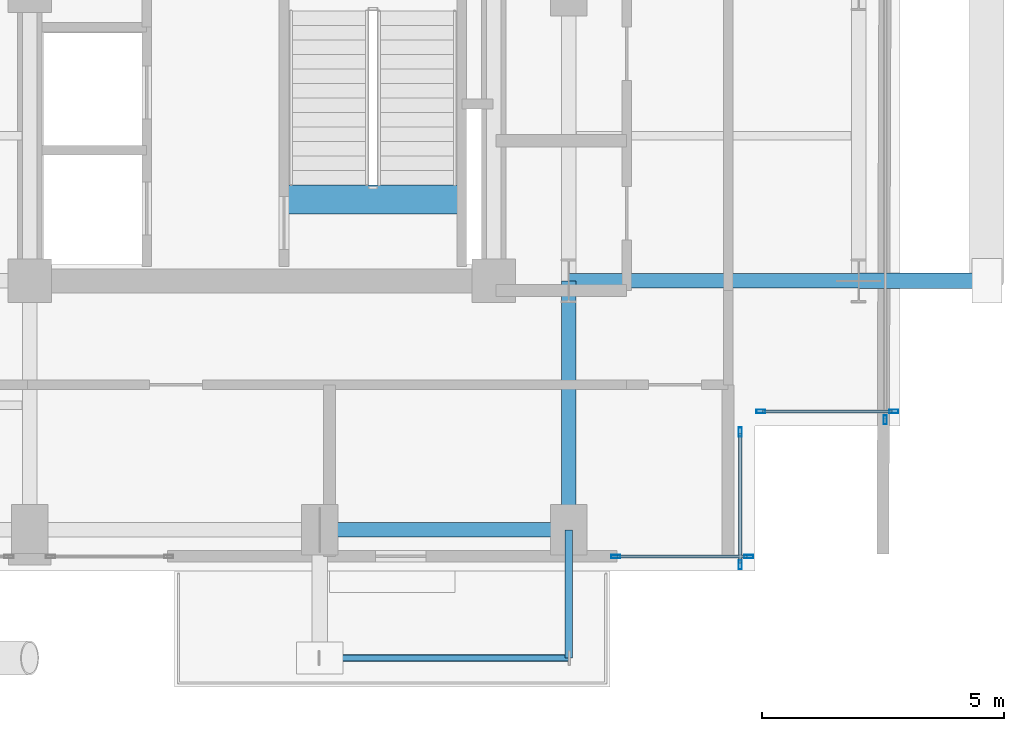
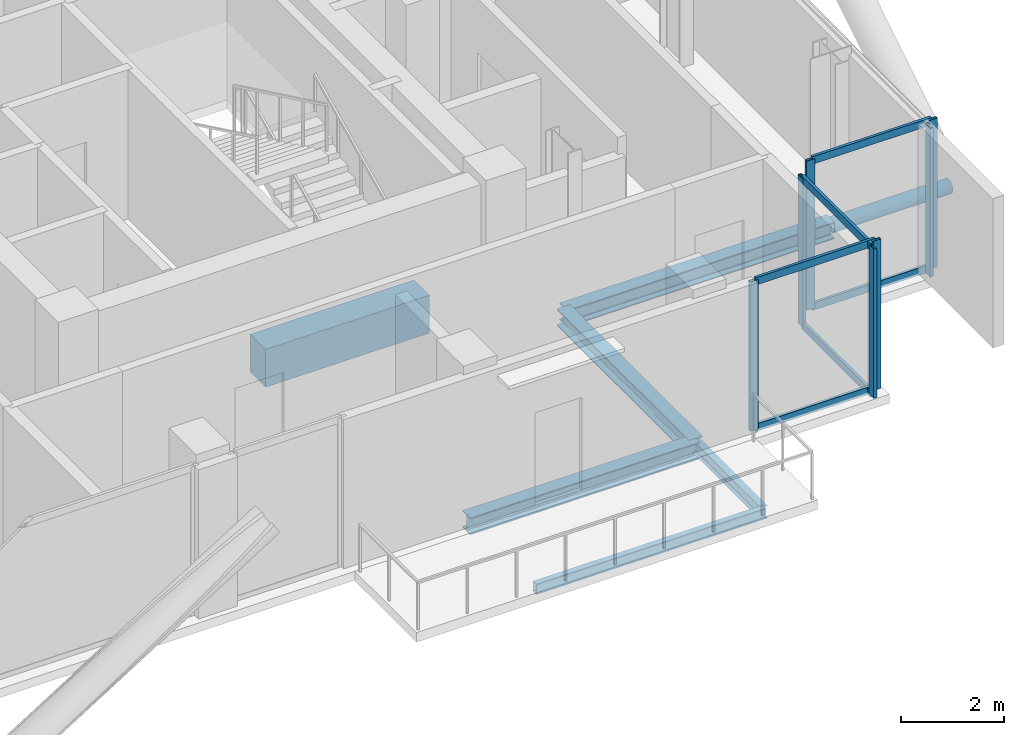
# One storey, part 11 of 26: 14 members, 6 beams, 4 elements without a shape of their own.
"""IFC4 building model written with IfcOpenShell, lengths in metres."""

import ifcopenshell
import ifcopenshell.guid

model = None  # the IFC model being written
_history = None  # IfcOwnerHistory: only IFC2X3 demands one
_inside = {}  # id of a spatial element -> (the spatial element, [elements in it])
_under = {}  # id of a project, library or spatial element -> (it, [spatial elements below it])
_declared = {}  # id of a project -> (the project, [libraries it declares])
_typed = {}  # id of a type object -> (the type object, [elements of that type])
_made_of = {}  # id of a material, layer set ... -> (it, [elements and type objects made of it])


def new_model(schema):
    """Start an empty IFC model of exactly this schema.

    Asked for "IFC4X3", IfcOpenShell would pick the latest addendum, in which some entities
    have other attributes; the version numbers below select the first issue.
    IFC2X3 requires an IfcOwnerHistory on every rooted entity: one is made here for all.
    """
    global model, _history
    if schema == "IFC4X3":
        model = ifcopenshell.file(schema_version=(4, 3, 0, 0))
    else:
        model = ifcopenshell.file(schema=schema)
    _inside.clear()
    _under.clear()
    _declared.clear()
    _typed.clear()
    _made_of.clear()
    _history = None
    if model.schema == "IFC2X3":
        org = make("IfcOrganization", Name="unknown")
        user = make(
            "IfcPersonAndOrganization",
            ThePerson=make("IfcPerson", FamilyName="unknown"),
            TheOrganization=org,
        )
        app = make(
            "IfcApplication",
            ApplicationDeveloper=org,
            Version="unknown",
            ApplicationFullName="unknown",
            ApplicationIdentifier="unknown",
        )
        _history = make(
            "IfcOwnerHistory",
            OwningUser=user,
            OwningApplication=app,
            ChangeAction="ADDED",
            CreationDate=0,
        )
    return model


def make(cls, **values):
    """One entity of the class cls with the attributes given. An attribute that is None is left unset."""
    return model.create_entity(
        cls, **{name: value for name, value in values.items() if value is not None}
    )


def rooted(cls, **values):
    """An entity with a GlobalId (a new one), such as an element, a storey or a relation."""
    return make(cls, GlobalId=ifcopenshell.guid.new(), OwnerHistory=_history, **values)


def si_unit(unit_type, name, prefix=None):
    """IfcSIUnit, for example si_unit("LENGTHUNIT", "METRE", prefix="MILLI")."""
    return make("IfcSIUnit", UnitType=unit_type, Prefix=prefix, Name=name)


def assignment(units):
    """IfcUnitAssignment: the units of a project."""
    return None if units is None else make("IfcUnitAssignment", Units=units)


def point(xyz):
    """IfcCartesianPoint."""
    return None if xyz is None else make("IfcCartesianPoint", Coordinates=xyz)


def direction(xyz):
    """IfcDirection."""
    return None if xyz is None else make("IfcDirection", DirectionRatios=xyz)


def frame(location, z_axis=None, x_axis=None):
    """IfcAxis2Placement3D, a coordinate frame: its origin and axes. An axis left out is left unset."""
    return make(
        "IfcAxis2Placement3D",
        Location=point(location),
        Axis=direction(z_axis),
        RefDirection=direction(x_axis),
    )


def frame_2d(location, x_axis=None):
    """IfcAxis2Placement2D, a coordinate frame in the plane: its origin and x axis."""
    return make(
        "IfcAxis2Placement2D", Location=point(location), RefDirection=direction(x_axis)
    )


def origin():
    """The frame at (0, 0, 0) with its axes left unset."""
    return frame((0.0, 0.0, 0.0))


def origin_2d():
    """The frame at (0, 0) in the plane with its x axis left unset."""
    return frame_2d((0.0, 0.0))


def place(relative_to, where):
    """IfcLocalPlacement: puts the frame where relative to a parent placement (None: the world)."""
    return make(
        "IfcLocalPlacement", PlacementRelTo=relative_to, RelativePlacement=where
    )


def context(
    kind, dimensions, precision=None, world=None, true_north=None, identifier=None
):
    """IfcGeometricRepresentationContext, for example the 3D "Model" context."""
    return make(
        "IfcGeometricRepresentationContext",
        ContextIdentifier=identifier,
        ContextType=kind,
        CoordinateSpaceDimension=dimensions,
        Precision=precision,
        WorldCoordinateSystem=world,
        TrueNorth=true_north,
    )


def subcontext(parent, identifier, kind, view, scale=None):
    """IfcGeometricRepresentationSubContext, for example "Body" below "Model"."""
    return make(
        "IfcGeometricRepresentationSubContext",
        ContextIdentifier=identifier,
        ContextType=kind,
        ParentContext=parent,
        TargetScale=scale,
        TargetView=view,
    )


def project(units=None, contexts=None):
    """IfcProject with its units and contexts."""
    return rooted(
        "IfcProject",
        Name="project",
        RepresentationContexts=contexts,
        UnitsInContext=assignment(units),
    )


def spatial(cls, under=None, at=None, **own):
    """A site, building, storey or space (cls), placed at a placement, below another one or the project."""
    s = rooted(cls, ObjectPlacement=at, **own)
    if under is not None:
        _under.setdefault(under.id(), (under, []))[1].append(s)
    return s


def profile(cls, at=None, kind="AREA", **sizes):
    """A parametric profile (cls). Its sizes go by their IFC names, for example OverallWidth=200.0."""
    return make(cls, ProfileType=kind, Position=at, **sizes)


def rectangle(**sizes):
    """IfcRectangleProfileDef."""
    return profile("IfcRectangleProfileDef", **sizes)


def hollow_rectangle(**sizes):
    """IfcRectangleHollowProfileDef."""
    return profile("IfcRectangleHollowProfileDef", **sizes)


def hollow_circle(**sizes):
    """IfcCircleHollowProfileDef."""
    return profile("IfcCircleHollowProfileDef", **sizes)


def i_section(**sizes):
    """IfcIShapeProfileDef."""
    return profile("IfcIShapeProfileDef", **sizes)


def extrude(swept, where, along, depth):
    """IfcExtrudedAreaSolid: the profile swept, set in the frame where, extruded along a direction by depth."""
    return make(
        "IfcExtrudedAreaSolid",
        SweptArea=swept,
        Position=where,
        ExtrudedDirection=direction(along),
        Depth=depth,
    )


def shape(context_of_items, identifier, shape_type, items):
    """IfcShapeRepresentation: the items that make up one representation, for example the "Body"."""
    return make(
        "IfcShapeRepresentation",
        ContextOfItems=context_of_items,
        RepresentationIdentifier=identifier,
        RepresentationType=shape_type,
        Items=items,
    )


def material(Name=None, Category=None):
    """IfcMaterial."""
    return make("IfcMaterial", Name=Name, Category=Category)


def layer(
    of_material, thickness, ventilated=None, Name=None, Category=None, Priority=None
):
    """IfcMaterialLayer: one layer of a wall or slab, of a material (None: an air gap)."""
    return make(
        "IfcMaterialLayer",
        Material=of_material,
        LayerThickness=thickness,
        IsVentilated=ventilated,
        Name=Name,
        Category=Category,
        Priority=Priority,
    )


def layer_set(layers, Name=None):
    """IfcMaterialLayerSet."""
    return make("IfcMaterialLayerSet", MaterialLayers=layers, LayerSetName=Name)


def material_profile(
    of_material, cross_section, Name=None, Category=None, Priority=None
):
    """IfcMaterialProfile: a cross section and its material."""
    return make(
        "IfcMaterialProfile",
        Name=Name,
        Material=of_material,
        Profile=cross_section,
        Priority=Priority,
        Category=Category,
    )


def profile_set(profiles, Name=None, composite=None):
    """IfcMaterialProfileSet."""
    return make(
        "IfcMaterialProfileSet",
        Name=Name,
        MaterialProfiles=profiles,
        CompositeProfile=composite,
    )


def made_of(thing, what):
    """Note that an element or type object is made of a material, layer set ...; save() writes the relation."""
    if what is not None:
        _made_of.setdefault(what.id(), (what, []))[1].append(thing)
    return thing


def type_object(cls, material=None, **own):
    """A type object (cls), such as IfcWallType, which elements share."""
    return made_of(rooted(cls, **own), material)


def element(
    cls,
    number,
    at=None,
    inside=None,
    cuts=None,
    type_object=None,
    material=None,
    context=None,
    identifier="Body",
    shape_type=None,
    held_by="IfcProductDefinitionShape",
    body=None,
    shapes=None,
    **own,
):
    """One element of the class cls, such as IfcWall. Its Tag is "e" and its number.

    at: its placement. inside: the storey or other place that contains it. cuts: it is an
    opening in that element (IfcRelVoidsElement). A single representation is given by context,
    identifier, shape_type and body (its items); several are given by shapes. held_by: the class
    of the entity that holds the representations. save() writes the other relations.
    """
    e = rooted(cls, Tag="e%d" % number, ObjectPlacement=at, **own)
    if body is not None:
        shapes = [shape(context, identifier, shape_type, body)]
    if shapes is not None:
        e.Representation = make(held_by, Representations=shapes)
    if inside is not None:
        _inside.setdefault(inside.id(), (inside, []))[1].append(e)
    if cuts is not None:
        rooted(
            "IfcRelVoidsElement", RelatingBuildingElement=cuts, RelatedOpeningElement=e
        )
    if type_object is not None:
        _typed.setdefault(type_object.id(), (type_object, []))[1].append(e)
    return made_of(e, material)


def aggregate(whole, parts):
    """IfcRelAggregates: a whole, such as a stair, and the parts it consists of."""
    return rooted("IfcRelAggregates", RelatingObject=whole, RelatedObjects=parts)


def save(model, path):
    """Write the relations noted so far, then the file.

    IfcRelAggregates (storeys below a building ...), IfcRelContainedInSpatialStructure (elements
    in a storey), IfcRelDefinesByType, IfcRelAssociatesMaterial and IfcRelDeclares: one each for
    every whole, place, type object, material and project.
    """
    for whole, parts in _under.values():
        aggregate(whole, parts)
    for where, things in _inside.values():
        rooted(
            "IfcRelContainedInSpatialStructure",
            RelatedElements=things,
            RelatingStructure=where,
        )
    for kind, things in _typed.values():
        rooted("IfcRelDefinesByType", RelatedObjects=things, RelatingType=kind)
    for what, things in _made_of.values():
        rooted("IfcRelAssociatesMaterial", RelatedObjects=things, RelatingMaterial=what)
    for by, libraries in _declared.values():
        rooted("IfcRelDeclares", RelatingContext=by, RelatedDefinitions=libraries)
    model.write(path)


model = new_model("IFC4")

# Units and contexts
model_context = context("Model", 3, precision=1e-05, world=origin(), true_north=direction((0.0, 1.0)))
body_context = subcontext(model_context, "Body", "Model", "MODEL_VIEW")
ifc_project = project(units=[si_unit("LENGTHUNIT", "METRE"), si_unit("AREAUNIT", "SQUARE_METRE"), si_unit("VOLUMEUNIT", "CUBIC_METRE"), si_unit("PLANEANGLEUNIT", "RADIAN"), si_unit("MASSUNIT", "GRAM", prefix="KILO"), si_unit("THERMODYNAMICTEMPERATUREUNIT", "KELVIN"), si_unit("POWERUNIT", "WATT")], contexts=[model_context])

# Site, building, storey
site_placement = place(None, origin())
site = spatial("IfcSite", under=ifc_project, at=site_placement, CompositionType="ELEMENT")
building_placement = place(site_placement, origin())
building = spatial("IfcBuilding", under=site, at=building_placement, Name="Svarakhadi Broadcast Tower", CompositionType="ELEMENT")
storey_placement = place(building_placement, frame((0.0, 0.0, 180.449951171875)))
storey = spatial("IfcBuildingStorey", under=building, at=storey_placement, Name="L44", CompositionType="ELEMENT", Elevation=180.449951171875)

# Curtain wall, member
ifc_material_1 = material(Name="Anodised Bronze Aluminium AA 6063-T6", Category="aluminium")
ifc_layer = layer(ifc_material_1, 0.18994140625)
ifc_layer_set = layer_set([ifc_layer], Name="Anodised Bronze Aluminium AA 6063-T6")
curtain_wall_type = type_object("IfcCurtainWallType", Name="CW_Sys_04", PredefinedType="NOTDEFINED", material=ifc_layer_set)
curtain_wall_1_placement = place(storey_placement, origin())
curtain_wall_1 = element("IfcCurtainWall", 1, at=curtain_wall_1_placement, inside=storey, type_object=curtain_wall_type, Name="L44 Unitised Facade Curtain Wall 13", PredefinedType="NOTDEFINED")
ifc_material_profile_1 = material_profile(ifc_material_1, hollow_rectangle(XDim=0.070068359375, YDim=0.18994140625, WallThickness=0.005615234375, at=origin_2d()), Name="ALU MULLION 190x70x6")
ifc_profile_set_1 = profile_set([ifc_material_profile_1], Name="Anodised Bronze Aluminium AA 6063-T6")
member_type_1 = type_object("IfcMemberType", Name="CW_Sys_04_Mul", PredefinedType="MULLION", material=ifc_profile_set_1)
member_1_placement = place(storey_placement, frame((41.699951171875, 3.125, 0.0), z_axis=(0.0, 0.0, 1.0), x_axis=(1.0, 0.0, 0.0)))
member_1 = element("IfcMember", 2, at=member_1_placement, type_object=member_type_1, Name="CW-04 mullion 2", PredefinedType="MULLION", context=body_context, shape_type="SweptSolid", body=[
    extrude(hollow_rectangle(XDim=0.070068359375, YDim=0.18994140625, WallThickness=0.005615234375, at=origin_2d()), origin(), (0.0, 0.0, 1.0), 3.5400390625),
])
aggregate(curtain_wall_1, [member_1])

# Curtain wall, members
curtain_wall_2_placement = place(storey_placement, origin())
curtain_wall_2 = element("IfcCurtainWall", 3, at=curtain_wall_2_placement, inside=storey, type_object=curtain_wall_type, Name="L44 Unitised Facade Curtain Wall 14", PredefinedType="NOTDEFINED")
member_2_placement = place(storey_placement, frame((41.875, 3.300048828125, 0.0), z_axis=(0.0, 0.0, 1.0), x_axis=(0.0, -1.0, 0.0)))
member_2 = element("IfcMember", 4, at=member_2_placement, type_object=member_type_1, Name="CW-04 mullion 1", PredefinedType="MULLION", context=body_context, shape_type="SweptSolid", body=[
    extrude(hollow_rectangle(XDim=0.070068359375, YDim=0.18994140625, WallThickness=0.005615234375, at=origin_2d()), origin(), (0.0, 0.0, 1.0), 3.5400390625),
])
member_3_placement = place(storey_placement, frame((39.125, 3.300048828125, 0.0), z_axis=(0.0, 0.0, 1.0), x_axis=(0.0, -1.0, 0.0)))
member_3 = element("IfcMember", 5, at=member_3_placement, type_object=member_type_1, Name="CW-04 mullion 2", PredefinedType="MULLION", context=body_context, shape_type="SweptSolid", body=[
    extrude(hollow_rectangle(XDim=0.070068359375, YDim=0.18994140625, WallThickness=0.005615234375, at=origin_2d()), origin(), (0.0, 0.0, 1.0), 3.5400390625),
])

curtain_wall_3_placement = place(storey_placement, origin())
curtain_wall_3 = element("IfcCurtainWall", 6, at=curtain_wall_3_placement, inside=storey, type_object=curtain_wall_type, Name="L44 Unitised Facade Curtain Wall 15", PredefinedType="NOTDEFINED")
member_4_placement = place(storey_placement, frame((38.699951171875, 2.875, 0.0), z_axis=(0.0, 0.0, 1.0), x_axis=(1.0, 0.0, 0.0)))
member_4 = element("IfcMember", 7, at=member_4_placement, type_object=member_type_1, Name="CW-04 mullion 1", PredefinedType="MULLION", context=body_context, shape_type="SweptSolid", body=[
    extrude(hollow_rectangle(XDim=0.070068359375, YDim=0.18994140625, WallThickness=0.005615234375, at=origin_2d()), origin(), (0.0, 0.0, 1.0), 3.5400390625),
])
member_5_placement = place(storey_placement, frame((38.699951171875, 0.125, 0.0), z_axis=(0.0, 0.0, 1.0), x_axis=(1.0, 0.0, 0.0)))
member_5 = element("IfcMember", 8, at=member_5_placement, type_object=member_type_1, Name="CW-04 mullion 2", PredefinedType="MULLION", context=body_context, shape_type="SweptSolid", body=[
    extrude(hollow_rectangle(XDim=0.070068359375, YDim=0.18994140625, WallThickness=0.005615234375, at=origin_2d()), origin(), (0.0, 0.0, 1.0), 3.5400390625),
])

curtain_wall_4_placement = place(storey_placement, origin())
curtain_wall_4 = element("IfcCurtainWall", 9, at=curtain_wall_4_placement, inside=storey, type_object=curtain_wall_type, Name="L44 South Curtain Wall 16", PredefinedType="NOTDEFINED")
member_6_placement = place(storey_placement, frame((38.875, 0.300048828125, 0.0), z_axis=(0.0, 0.0, 1.0), x_axis=(0.0, -1.0, 0.0)))
member_6 = element("IfcMember", 10, at=member_6_placement, type_object=member_type_1, Name="CW-04 mullion 1", PredefinedType="MULLION", context=body_context, shape_type="SweptSolid", body=[
    extrude(hollow_rectangle(XDim=0.070068359375, YDim=0.18994140625, WallThickness=0.005615234375, at=origin_2d()), origin(), (0.0, 0.0, 1.0), 3.5400390625),
])
member_7_placement = place(storey_placement, frame((36.125, 0.300048828125, 0.0), z_axis=(0.0, 0.0, 1.0), x_axis=(0.0, -1.0, 0.0)))
member_7 = element("IfcMember", 11, at=member_7_placement, type_object=member_type_1, Name="CW-04 mullion 2", PredefinedType="MULLION", context=body_context, shape_type="SweptSolid", body=[
    extrude(hollow_rectangle(XDim=0.070068359375, YDim=0.18994140625, WallThickness=0.005615234375, at=origin_2d()), origin(), (0.0, 0.0, 1.0), 3.5400390625),
])

# Member
ifc_material_profile_2 = material_profile(ifc_material_1, hollow_rectangle(XDim=0.06494140625, YDim=0.175048828125, WallThickness=0.0048828125, at=origin_2d()), Name="ALU TRANSOM 175x65x5")
ifc_profile_set_2 = profile_set([ifc_material_profile_2], Name="Anodised Bronze Aluminium AA 6063-T6")
member_type_2 = type_object("IfcMemberType", Name="CW_Sys_04_Trn", PredefinedType="USERDEFINED", material=ifc_profile_set_2)
member_8_placement = place(storey_placement, frame((41.840087890625, 3.300048828125, 0.032470703125), z_axis=(-1.0, 0.0, 0.0), x_axis=(0.0, -1.0, 0.0)))
member_8 = element("IfcMember", 12, at=member_8_placement, type_object=member_type_2, Name="CW-04 transom 1.1", ObjectType="TRANSOM", PredefinedType="USERDEFINED", context=body_context, shape_type="SweptSolid", body=[
    extrude(hollow_rectangle(XDim=0.06494140625, YDim=0.175048828125, WallThickness=0.0048828125, at=origin_2d()), origin(), (0.0, 0.0, 1.0), 2.68017578125),
])

member_9_placement = place(storey_placement, frame((41.840087890625, 3.300048828125, 3.507568359375), z_axis=(-1.0, 0.0, 0.0), x_axis=(0.0, -1.0, 0.0)))
member_9 = element("IfcMember", 13, at=member_9_placement, type_object=member_type_2, Name="CW-04 transom 1.2", ObjectType="TRANSOM", PredefinedType="USERDEFINED", context=body_context, shape_type="SweptSolid", body=[
    extrude(hollow_rectangle(XDim=0.06494140625, YDim=0.175048828125, WallThickness=0.0048828125, at=origin_2d()), origin(), (0.0, 0.0, 1.0), 2.68017578125),
])

aggregate(curtain_wall_2, [member_2, member_3, member_8, member_9])

member_10_placement = place(storey_placement, frame((38.699951171875, 2.840087890625, 0.032470703125), z_axis=(0.0, -1.0, 0.0), x_axis=(1.0, 0.0, 0.0)))
member_10 = element("IfcMember", 14, at=member_10_placement, type_object=member_type_2, Name="CW-04 transom 1.1", ObjectType="TRANSOM", PredefinedType="USERDEFINED", context=body_context, shape_type="SweptSolid", body=[
    extrude(hollow_rectangle(XDim=0.06494140625, YDim=0.175048828125, WallThickness=0.0048828125, at=origin_2d()), origin(), (0.0, 0.0, 1.0), 2.68017578125),
])

member_11_placement = place(storey_placement, frame((38.699951171875, 2.840087890625, 3.507568359375), z_axis=(0.0, -1.0, 0.0), x_axis=(1.0, 0.0, 0.0)))
member_11 = element("IfcMember", 15, at=member_11_placement, type_object=member_type_2, Name="CW-04 transom 1.2", ObjectType="TRANSOM", PredefinedType="USERDEFINED", context=body_context, shape_type="SweptSolid", body=[
    extrude(hollow_rectangle(XDim=0.06494140625, YDim=0.175048828125, WallThickness=0.0048828125, at=origin_2d()), origin(), (0.0, 0.0, 1.0), 2.68017578125),
])

aggregate(curtain_wall_3, [member_4, member_5, member_10, member_11])

member_12_placement = place(storey_placement, frame((38.840087890625, 0.300048828125, 0.032470703125), z_axis=(-1.0, 0.0, 0.0), x_axis=(0.0, -1.0, 0.0)))
member_12 = element("IfcMember", 16, at=member_12_placement, type_object=member_type_2, Name="CW-04 transom 1.1", ObjectType="TRANSOM", PredefinedType="USERDEFINED", context=body_context, shape_type="SweptSolid", body=[
    extrude(hollow_rectangle(XDim=0.06494140625, YDim=0.175048828125, WallThickness=0.0048828125, at=origin_2d()), origin(), (0.0, 0.0, 1.0), 2.68017578125),
])

member_13_placement = place(storey_placement, frame((38.840087890625, 0.300048828125, 3.507568359375), z_axis=(-1.0, 0.0, 0.0), x_axis=(0.0, -1.0, 0.0)))
member_13 = element("IfcMember", 17, at=member_13_placement, type_object=member_type_2, Name="CW-04 transom 1.2", ObjectType="TRANSOM", PredefinedType="USERDEFINED", context=body_context, shape_type="SweptSolid", body=[
    extrude(hollow_rectangle(XDim=0.06494140625, YDim=0.175048828125, WallThickness=0.0048828125, at=origin_2d()), origin(), (0.0, 0.0, 1.0), 2.68017578125),
])

aggregate(curtain_wall_4, [member_6, member_7, member_12, member_13])

# Beam
ifc_material_2 = material(Name="Concrete C50/60 (IS 456 M60)", Category="concrete")
ifc_material_profile_3 = material_profile(ifc_material_2, rectangle(XDim=0.60009765625, YDim=0.89990234375, at=origin_2d()), Name="RC 600x900")
ifc_profile_set_3 = profile_set([ifc_material_profile_3], Name="Concrete C50/60 (IS 456 M60)")
beam_type_1 = type_object("IfcBeamType", Name="Coupling_RC600", PredefinedType="USERDEFINED", material=ifc_profile_set_3)
beam_1_placement = place(storey_placement, frame((29.260009765625, 7.679931640625, -0.449951171875), z_axis=(1.0, 0.0, 0.0), x_axis=(0.0, 1.0, 0.0)))
element("IfcBeam", 18, at=beam_1_placement, inside=storey, type_object=beam_type_1, Name="L44 Stair ST-02 Landing Throat Trimmer Beam CB-01", ObjectType="GIRDER", PredefinedType="USERDEFINED", context=body_context, shape_type="SweptSolid", body=[
    extrude(rectangle(XDim=0.60009765625, YDim=0.89990234375, at=origin_2d()), origin(), (0.0, 0.0, 1.0), 3.679931640625),
])

# Member
ifc_material_3 = material(Name="Steel S460ML (IS 2062 E450BR)", Category="steel")
ifc_material_profile_4 = material_profile(ifc_material_3, hollow_circle(Radius=0.161865234375, WallThickness=0.01611328125, at=origin_2d()), Name="CHS 323.9x16")
ifc_profile_set_4 = profile_set([ifc_material_profile_4], Name="Steel S460ML (IS 2062 E450BR)")
member_type_3 = type_object("IfcMemberType", Name="Exo_Radial_Strut_Z2", PredefinedType="STRUT", material=ifc_profile_set_4)
member_14_placement = place(storey_placement, frame((43.800048828125, 6.0, -0.371826171875), z_axis=(-1.0, 0.0, 0.0), x_axis=(0.0, -1.0, 0.0)))
element("IfcMember", 19, at=member_14_placement, inside=storey, type_object=member_type_3, Name="L44 Exoskeleton Radial Tie Strut E07", PredefinedType="STRUT", context=body_context, shape_type="SweptSolid", body=[
    extrude(hollow_circle(Radius=0.161865234375, WallThickness=0.01611328125, at=origin_2d()), origin(), (0.0, 0.0, 1.0), 2.650146484375),
])

# Beams
ifc_material_4 = material(Name="Steel S355J2 (IS 2062 E350C)", Category="steel")
ifc_material_profile_5 = material_profile(ifc_material_4, i_section(OverallWidth=0.300048828125, OverallDepth=0.39990234375, WebThickness=0.013427734375, FlangeThickness=0.02392578125, FilletRadius=0.027099609375, at=origin_2d()), Name="WPB 400x300x155")
ifc_profile_set_5 = profile_set([ifc_material_profile_5], Name="Steel S355J2 (IS 2062 E350C)")
beam_type_2 = type_object("IfcBeamType", Name="Girder_WPB400", PredefinedType="USERDEFINED", material=ifc_profile_set_5)
beam_2_placement = place(storey_placement, frame((30.0, 0.85009765625, -0.409912109375), z_axis=(1.0, 0.0, 0.0), x_axis=(0.0, 1.0, 0.0)))
element("IfcBeam", 20, at=beam_2_placement, inside=storey, type_object=beam_type_2, Name="L44 Primary E-W Girder G008", ObjectType="GIRDER", PredefinedType="USERDEFINED", context=body_context, shape_type="SweptSolid", body=[
    extrude(i_section(OverallWidth=0.300048828125, OverallDepth=0.39990234375, WebThickness=0.013427734375, FlangeThickness=0.02392578125, FilletRadius=0.027099609375, at=origin_2d()), origin(), (0.0, 0.0, 1.0), 5.14990234375),
])
beam_3_placement = place(storey_placement, frame((35.14990234375, 6.0, -0.409912109375), z_axis=(1.0, 0.0, 0.0), x_axis=(0.0, 1.0, 0.0)))
element("IfcBeam", 21, at=beam_3_placement, inside=storey, type_object=beam_type_2, Name="L44 Primary E-W Girder G014", ObjectType="GIRDER", PredefinedType="USERDEFINED", context=body_context, shape_type="SweptSolid", body=[
    extrude(i_section(OverallWidth=0.300048828125, OverallDepth=0.39990234375, WebThickness=0.013427734375, FlangeThickness=0.02392578125, FilletRadius=0.027099609375, at=origin_2d()), origin(), (0.0, 0.0, 1.0), 6.0),
])
beam_4_placement = place(storey_placement, frame((35.14990234375, 0.85009765625, -0.409912109375), z_axis=(0.0, 1.0, 0.0), x_axis=(-1.0, 0.0, 0.0)))
element("IfcBeam", 22, at=beam_4_placement, inside=storey, type_object=beam_type_2, Name="L44 Primary N-S Girder G056", ObjectType="GIRDER", PredefinedType="USERDEFINED", context=body_context, shape_type="SweptSolid", body=[
    extrude(i_section(OverallWidth=0.300048828125, OverallDepth=0.39990234375, WebThickness=0.013427734375, FlangeThickness=0.02392578125, FilletRadius=0.027099609375, at=origin_2d()), origin(), (0.0, 0.0, 1.0), 5.14990234375),
])
ifc_material_profile_6 = material_profile(ifc_material_4, i_section(OverallWidth=0.14990234375, OverallDepth=0.300048828125, WebThickness=0.007080078125, FlangeThickness=0.0107421875, FilletRadius=0.014892578125, at=origin_2d()), Name="NPB 300x150x37")
ifc_profile_set_6 = profile_set([ifc_material_profile_6], Name="Steel S355J2 (IS 2062 E350C)")
beam_type_3 = type_object("IfcBeamType", Name="Spandrel_NPB300", PredefinedType="SPANDREL", material=ifc_profile_set_6)
beam_5_placement = place(storey_placement, frame((35.14990234375, 0.85009765625, -0.375), z_axis=(0.0, -1.0, 0.0), x_axis=(1.0, 0.0, 0.0)))
element("IfcBeam", 23, at=beam_5_placement, inside=storey, type_object=beam_type_3, Name="L44 Balcony Cantilever Bracket 1B", PredefinedType="SPANDREL", context=body_context, shape_type="SweptSolid", body=[
    extrude(i_section(OverallWidth=0.14990234375, OverallDepth=0.300048828125, WebThickness=0.007080078125, FlangeThickness=0.0107421875, FilletRadius=0.014892578125, at=origin_2d()), origin(), (0.0, 0.0, 1.0), 2.650146484375),
])
ifc_material_profile_7 = material_profile(ifc_material_3, hollow_rectangle(XDim=0.14990234375, YDim=0.25, WallThickness=0.010009765625, InnerFilletRadius=0.010009765625, OuterFilletRadius=0.02001953125, at=origin_2d()), Name="RHS 250x150x10")
ifc_profile_set_7 = profile_set([ifc_material_profile_7], Name="Steel S460ML (IS 2062 E450BR)")
beam_type_4 = type_object("IfcBeamType", Name="Spandrel_RHS250", PredefinedType="SPANDREL", material=ifc_profile_set_7)
beam_6_placement = place(storey_placement, frame((30.0, -1.800048828125, -0.349853515625), z_axis=(1.0, 0.0, 0.0), x_axis=(0.0, 1.0, 0.0)))
element("IfcBeam", 24, at=beam_6_placement, inside=storey, type_object=beam_type_4, Name="L44 Balcony Outer Spandrel 1F", PredefinedType="SPANDREL", context=body_context, shape_type="SweptSolid", body=[
    extrude(hollow_rectangle(XDim=0.14990234375, YDim=0.25, WallThickness=0.010009765625, InnerFilletRadius=0.010009765625, OuterFilletRadius=0.02001953125, at=origin_2d()), origin(), (0.0, 0.0, 1.0), 5.14990234375),
])

save(model, "model.ifc")
